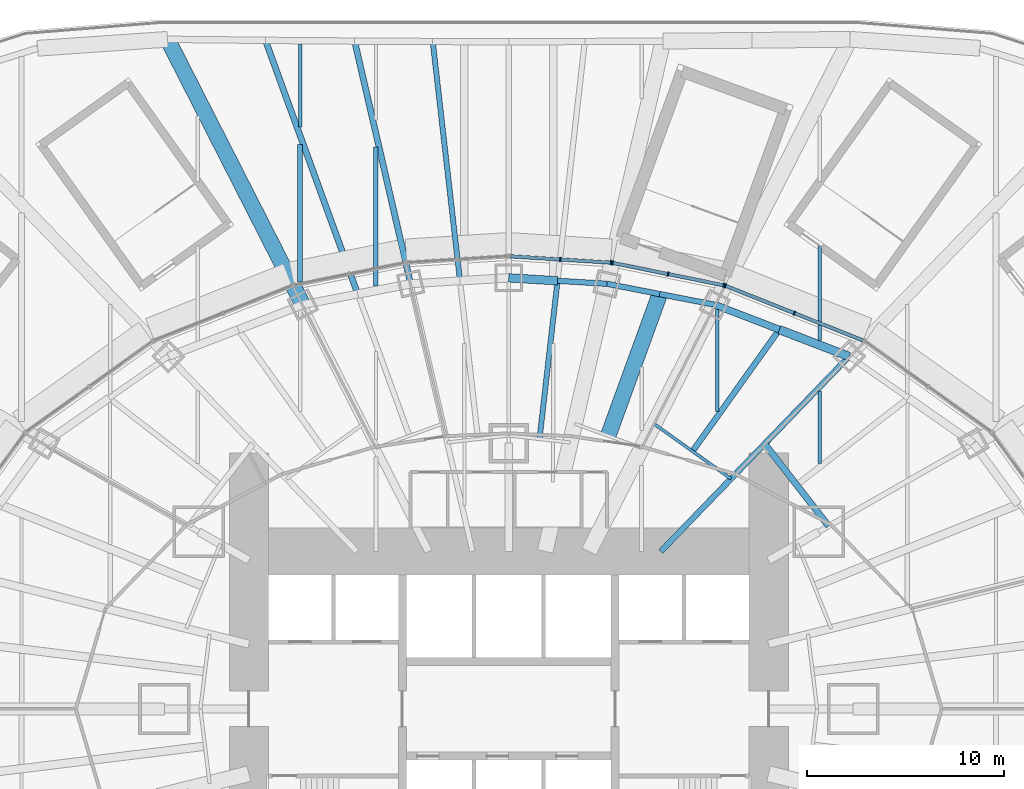
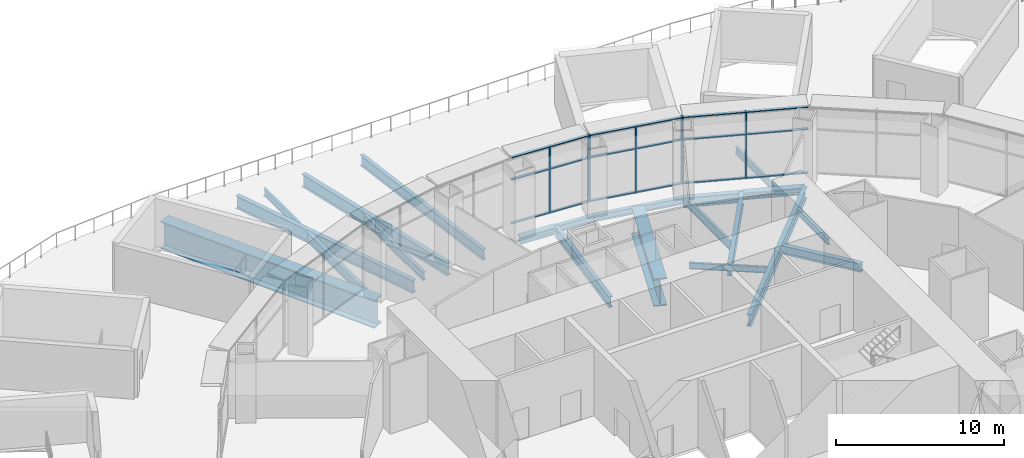
# One storey, part 8 of 25: 25 members, 22 beams, 3 elements without a shape of their own.
"""IFC4 building model written with IfcOpenShell, lengths in metres."""

import ifcopenshell
import ifcopenshell.guid

model = None  # the IFC model being written
_history = None  # IfcOwnerHistory: only IFC2X3 demands one
_inside = {}  # id of a spatial element -> (the spatial element, [elements in it])
_under = {}  # id of a project, library or spatial element -> (it, [spatial elements below it])
_declared = {}  # id of a project -> (the project, [libraries it declares])
_typed = {}  # id of a type object -> (the type object, [elements of that type])
_made_of = {}  # id of a material, layer set ... -> (it, [elements and type objects made of it])


def new_model(schema):
    """Start an empty IFC model of exactly this schema.

    Asked for "IFC4X3", IfcOpenShell would pick the latest addendum, in which some entities
    have other attributes; the version numbers below select the first issue.
    IFC2X3 requires an IfcOwnerHistory on every rooted entity: one is made here for all.
    """
    global model, _history
    if schema == "IFC4X3":
        model = ifcopenshell.file(schema_version=(4, 3, 0, 0))
    else:
        model = ifcopenshell.file(schema=schema)
    _inside.clear()
    _under.clear()
    _declared.clear()
    _typed.clear()
    _made_of.clear()
    _history = None
    if model.schema == "IFC2X3":
        org = make("IfcOrganization", Name="unknown")
        user = make(
            "IfcPersonAndOrganization",
            ThePerson=make("IfcPerson", FamilyName="unknown"),
            TheOrganization=org,
        )
        app = make(
            "IfcApplication",
            ApplicationDeveloper=org,
            Version="unknown",
            ApplicationFullName="unknown",
            ApplicationIdentifier="unknown",
        )
        _history = make(
            "IfcOwnerHistory",
            OwningUser=user,
            OwningApplication=app,
            ChangeAction="ADDED",
            CreationDate=0,
        )
    return model


def make(cls, **values):
    """One entity of the class cls with the attributes given. An attribute that is None is left unset."""
    return model.create_entity(
        cls, **{name: value for name, value in values.items() if value is not None}
    )


def rooted(cls, **values):
    """An entity with a GlobalId (a new one), such as an element, a storey or a relation."""
    return make(cls, GlobalId=ifcopenshell.guid.new(), OwnerHistory=_history, **values)


def si_unit(unit_type, name, prefix=None):
    """IfcSIUnit, for example si_unit("LENGTHUNIT", "METRE", prefix="MILLI")."""
    return make("IfcSIUnit", UnitType=unit_type, Prefix=prefix, Name=name)


def assignment(units):
    """IfcUnitAssignment: the units of a project."""
    return None if units is None else make("IfcUnitAssignment", Units=units)


def point(xyz):
    """IfcCartesianPoint."""
    return None if xyz is None else make("IfcCartesianPoint", Coordinates=xyz)


def direction(xyz):
    """IfcDirection."""
    return None if xyz is None else make("IfcDirection", DirectionRatios=xyz)


def frame(location, z_axis=None, x_axis=None):
    """IfcAxis2Placement3D, a coordinate frame: its origin and axes. An axis left out is left unset."""
    return make(
        "IfcAxis2Placement3D",
        Location=point(location),
        Axis=direction(z_axis),
        RefDirection=direction(x_axis),
    )


def frame_2d(location, x_axis=None):
    """IfcAxis2Placement2D, a coordinate frame in the plane: its origin and x axis."""
    return make(
        "IfcAxis2Placement2D", Location=point(location), RefDirection=direction(x_axis)
    )


def origin():
    """The frame at (0, 0, 0) with its axes left unset."""
    return frame((0.0, 0.0, 0.0))


def origin_2d():
    """The frame at (0, 0) in the plane with its x axis left unset."""
    return frame_2d((0.0, 0.0))


def place(relative_to, where):
    """IfcLocalPlacement: puts the frame where relative to a parent placement (None: the world)."""
    return make(
        "IfcLocalPlacement", PlacementRelTo=relative_to, RelativePlacement=where
    )


def context(
    kind, dimensions, precision=None, world=None, true_north=None, identifier=None
):
    """IfcGeometricRepresentationContext, for example the 3D "Model" context."""
    return make(
        "IfcGeometricRepresentationContext",
        ContextIdentifier=identifier,
        ContextType=kind,
        CoordinateSpaceDimension=dimensions,
        Precision=precision,
        WorldCoordinateSystem=world,
        TrueNorth=true_north,
    )


def subcontext(parent, identifier, kind, view, scale=None):
    """IfcGeometricRepresentationSubContext, for example "Body" below "Model"."""
    return make(
        "IfcGeometricRepresentationSubContext",
        ContextIdentifier=identifier,
        ContextType=kind,
        ParentContext=parent,
        TargetScale=scale,
        TargetView=view,
    )


def project(units=None, contexts=None):
    """IfcProject with its units and contexts."""
    return rooted(
        "IfcProject",
        Name="project",
        RepresentationContexts=contexts,
        UnitsInContext=assignment(units),
    )


def spatial(cls, under=None, at=None, **own):
    """A site, building, storey or space (cls), placed at a placement, below another one or the project."""
    s = rooted(cls, ObjectPlacement=at, **own)
    if under is not None:
        _under.setdefault(under.id(), (under, []))[1].append(s)
    return s


def profile(cls, at=None, kind="AREA", **sizes):
    """A parametric profile (cls). Its sizes go by their IFC names, for example OverallWidth=200.0."""
    return make(cls, ProfileType=kind, Position=at, **sizes)


def rectangle(**sizes):
    """IfcRectangleProfileDef."""
    return profile("IfcRectangleProfileDef", **sizes)


def i_section(**sizes):
    """IfcIShapeProfileDef."""
    return profile("IfcIShapeProfileDef", **sizes)


def extrude(swept, where, along, depth):
    """IfcExtrudedAreaSolid: the profile swept, set in the frame where, extruded along a direction by depth."""
    return make(
        "IfcExtrudedAreaSolid",
        SweptArea=swept,
        Position=where,
        ExtrudedDirection=direction(along),
        Depth=depth,
    )


def shape(context_of_items, identifier, shape_type, items):
    """IfcShapeRepresentation: the items that make up one representation, for example the "Body"."""
    return make(
        "IfcShapeRepresentation",
        ContextOfItems=context_of_items,
        RepresentationIdentifier=identifier,
        RepresentationType=shape_type,
        Items=items,
    )


def material(Name=None, Category=None):
    """IfcMaterial."""
    return make("IfcMaterial", Name=Name, Category=Category)


def material_profile(
    of_material, cross_section, Name=None, Category=None, Priority=None
):
    """IfcMaterialProfile: a cross section and its material."""
    return make(
        "IfcMaterialProfile",
        Name=Name,
        Material=of_material,
        Profile=cross_section,
        Priority=Priority,
        Category=Category,
    )


def profile_set(profiles, Name=None, composite=None):
    """IfcMaterialProfileSet."""
    return make(
        "IfcMaterialProfileSet",
        Name=Name,
        MaterialProfiles=profiles,
        CompositeProfile=composite,
    )


def made_of(thing, what):
    """Note that an element or type object is made of a material, layer set ...; save() writes the relation."""
    if what is not None:
        _made_of.setdefault(what.id(), (what, []))[1].append(thing)
    return thing


def type_object(cls, material=None, **own):
    """A type object (cls), such as IfcWallType, which elements share."""
    return made_of(rooted(cls, **own), material)


def element(
    cls,
    number,
    at=None,
    inside=None,
    cuts=None,
    type_object=None,
    material=None,
    context=None,
    identifier="Body",
    shape_type=None,
    held_by="IfcProductDefinitionShape",
    body=None,
    shapes=None,
    **own,
):
    """One element of the class cls, such as IfcWall. Its Tag is "e" and its number.

    at: its placement. inside: the storey or other place that contains it. cuts: it is an
    opening in that element (IfcRelVoidsElement). A single representation is given by context,
    identifier, shape_type and body (its items); several are given by shapes. held_by: the class
    of the entity that holds the representations. save() writes the other relations.
    """
    e = rooted(cls, Tag="e%d" % number, ObjectPlacement=at, **own)
    if body is not None:
        shapes = [shape(context, identifier, shape_type, body)]
    if shapes is not None:
        e.Representation = make(held_by, Representations=shapes)
    if inside is not None:
        _inside.setdefault(inside.id(), (inside, []))[1].append(e)
    if cuts is not None:
        rooted(
            "IfcRelVoidsElement", RelatingBuildingElement=cuts, RelatedOpeningElement=e
        )
    if type_object is not None:
        _typed.setdefault(type_object.id(), (type_object, []))[1].append(e)
    return made_of(e, material)


def aggregate(whole, parts):
    """IfcRelAggregates: a whole, such as a stair, and the parts it consists of."""
    return rooted("IfcRelAggregates", RelatingObject=whole, RelatedObjects=parts)


def save(model, path):
    """Write the relations noted so far, then the file.

    IfcRelAggregates (storeys below a building ...), IfcRelContainedInSpatialStructure (elements
    in a storey), IfcRelDefinesByType, IfcRelAssociatesMaterial and IfcRelDeclares: one each for
    every whole, place, type object, material and project.
    """
    for whole, parts in _under.values():
        aggregate(whole, parts)
    for where, things in _inside.values():
        rooted(
            "IfcRelContainedInSpatialStructure",
            RelatedElements=things,
            RelatingStructure=where,
        )
    for kind, things in _typed.values():
        rooted("IfcRelDefinesByType", RelatedObjects=things, RelatingType=kind)
    for what, things in _made_of.values():
        rooted("IfcRelAssociatesMaterial", RelatedObjects=things, RelatingMaterial=what)
    for by, libraries in _declared.values():
        rooted("IfcRelDeclares", RelatingContext=by, RelatedDefinitions=libraries)
    model.write(path)


model = new_model("IFC4")

# Units and contexts
model_context = context("Model", 3, precision=1e-05, world=origin(), true_north=direction((0.0, 1.0)))
body_context = subcontext(model_context, "Body", "Model", "MODEL_VIEW")
ifc_project = project(units=[si_unit("LENGTHUNIT", "METRE"), si_unit("AREAUNIT", "SQUARE_METRE"), si_unit("VOLUMEUNIT", "CUBIC_METRE"), si_unit("PLANEANGLEUNIT", "RADIAN"), si_unit("MASSUNIT", "GRAM", prefix="KILO")], contexts=[model_context])

# Site, building, storey
site_placement = place(None, origin())
site = spatial("IfcSite", under=ifc_project, at=site_placement, CompositionType="ELEMENT")
building_placement = place(site_placement, origin())
building = spatial("IfcBuilding", under=site, at=building_placement, Name="Lantaw Convention Tower", CompositionType="ELEMENT")
storey_placement = place(building_placement, frame((0.0, 0.0, 32.0)))
storey = spatial("IfcBuildingStorey", under=building, at=storey_placement, Name="L05", CompositionType="ELEMENT", Elevation=32.0)

# Beams
ifc_material_1 = material(Name="Steel ASTM A992", Category="steel")
ifc_material_profile_1 = material_profile(ifc_material_1, i_section(OverallWidth=0.431884765625, OverallDepth=0.497802734375, WebThickness=0.0556640625, FlangeThickness=0.0888671875, FilletRadius=0.01513671875, at=origin_2d()), Name="W14X500")
ifc_profile_set_1 = profile_set([ifc_material_profile_1], Name="Steel ASTM A992")
beam_type_1 = type_object("IfcBeamType", Name="Beam E W14X500", PredefinedType="SPANDREL", material=ifc_profile_set_1)
beam_1_placement = place(storey_placement, frame((17.290771484375, 17.9052734375, -0.448974609375), z_axis=(-0.933224646415, 0.359293416754, 0.0), x_axis=(-0.359293416754, -0.933224646415, 0.0)))
element("IfcBeam", 1, at=beam_1_placement, inside=storey, type_object=beam_type_1, Name="Edge beam 4", PredefinedType="SPANDREL", context=body_context, shape_type="SweptSolid", body=[
    extrude(i_section(OverallWidth=0.431884765625, OverallDepth=0.497802734375, WebThickness=0.0556640625, FlangeThickness=0.0888671875, FilletRadius=0.01513671875, at=origin_2d()), origin(), (0.0, 0.0, 1.0), 3.799072265625),
])
beam_2_placement = place(storey_placement, frame((2.47802734375, 21.75, -0.448974609375), z_axis=(-0.998175328335, 0.060382231685, 0.0), x_axis=(-0.060382231685, -0.998175328335, 0.0)))
element("IfcBeam", 2, at=beam_2_placement, inside=storey, type_object=beam_type_1, Name="Edge beam 6", PredefinedType="SPANDREL", context=body_context, shape_type="SweptSolid", body=[
    extrude(i_section(OverallWidth=0.431884765625, OverallDepth=0.497802734375, WebThickness=0.0556640625, FlangeThickness=0.0888671875, FilletRadius=0.01513671875, at=origin_2d()), origin(), (0.0, 0.0, 1.0), 2.482666015625),
])
ifc_material_profile_2 = material_profile(ifc_material_1, i_section(OverallWidth=0.279296875, OverallDepth=0.462158203125, WebThickness=0.0107421875, FlangeThickness=0.017333984375, FilletRadius=0.01025390625, at=origin_2d()), Name="W18X76")
ifc_profile_set_2 = profile_set([ifc_material_profile_2], Name="Steel ASTM A992")
beam_type_2 = type_object("IfcBeamType", Name="Beam E W18X76", PredefinedType="SPANDREL", material=ifc_profile_set_2)
beam_3_placement = place(storey_placement, frame((10.462646484375, 20.533935546875, -0.43115234375), z_axis=(-0.98163593748, 0.190763954266, 0.0), x_axis=(-0.190763954266, -0.98163593748, 0.0)))
element("IfcBeam", 3, at=beam_3_placement, inside=storey, type_object=beam_type_2, Name="Edge beam 5", PredefinedType="SPANDREL", context=body_context, shape_type="SweptSolid", body=[
    extrude(i_section(OverallWidth=0.279296875, OverallDepth=0.462158203125, WebThickness=0.0107421875, FlangeThickness=0.017333984375, FilletRadius=0.01025390625, at=origin_2d()), origin(), (0.0, 0.0, 1.0), 2.84375),
])
beam_4_placement = place(storey_placement, frame((7.671142578125, 21.076416015625, -0.43115234375), z_axis=(-0.981637218105, 0.190757364289, 0.0), x_axis=(-0.190757364289, -0.981637218105, 0.0)))
element("IfcBeam", 4, at=beam_4_placement, inside=storey, type_object=beam_type_2, Name="Edge beam 5", PredefinedType="SPANDREL", context=body_context, shape_type="SweptSolid", body=[
    extrude(i_section(OverallWidth=0.279296875, OverallDepth=0.462158203125, WebThickness=0.0107421875, FlangeThickness=0.017333984375, FilletRadius=0.01025390625, at=origin_2d()), origin(), (0.0, 0.0, 1.0), 2.735107421875),
])
beam_5_placement = place(storey_placement, frame((4.986328125, 21.59814453125, -0.43115234375), z_axis=(-0.998172405641, 0.060430527186, 0.0), x_axis=(-0.060430527186, -0.998172405641, 0.0)))
element("IfcBeam", 5, at=beam_5_placement, inside=storey, type_object=beam_type_2, Name="Edge beam 6", PredefinedType="SPANDREL", context=body_context, shape_type="SweptSolid", body=[
    extrude(i_section(OverallWidth=0.279296875, OverallDepth=0.462158203125, WebThickness=0.0107421875, FlangeThickness=0.017333984375, FilletRadius=0.01025390625, at=origin_2d()), origin(), (0.0, 0.0, 1.0), 2.512939453125),
])
ifc_material_profile_3 = material_profile(ifc_material_1, i_section(OverallWidth=0.355712890625, OverallDepth=0.700927734375, WebThickness=0.016845703125, FlangeThickness=0.02734375, FilletRadius=0.017578125, at=origin_2d()), Name="W27X161")
ifc_profile_set_3 = profile_set([ifc_material_profile_3], Name="Steel ASTM A992")
beam_type_3 = type_object("IfcBeamType", Name="Beam E W27X161", PredefinedType="SPANDREL", material=ifc_profile_set_3)
beam_6_placement = place(storey_placement, frame((13.745361328125, 19.270263671875, -0.550537109375), z_axis=(-0.933241815012, 0.359248820058, 0.0), x_axis=(-0.359248820058, -0.933241815012, 0.0)))
element("IfcBeam", 6, at=beam_6_placement, inside=storey, type_object=beam_type_3, Name="Edge beam 4", PredefinedType="SPANDREL", context=body_context, shape_type="SweptSolid", body=[
    extrude(i_section(OverallWidth=0.355712890625, OverallDepth=0.700927734375, WebThickness=0.016845703125, FlangeThickness=0.02734375, FilletRadius=0.017578125, at=origin_2d()), origin(), (0.0, 0.0, 1.0), 3.517578125),
])
ifc_material_2 = material(Name="Steel ASTM A572 Grade 50", Category="steel")
ifc_material_profile_4 = material_profile(ifc_material_2, i_section(OverallWidth=0.800048828125, OverallDepth=2.0, WebThickness=0.030029296875, FlangeThickness=0.080078125, at=origin_2d()), Name="PG2000X800X30X80")
ifc_profile_set_4 = profile_set([ifc_material_profile_4], Name="Steel ASTM A572 Grade 50")
beam_type_4 = type_object("IfcBeamType", Name="Beam G PG2000X800X30X80", PredefinedType="BEAM", material=ifc_profile_set_4)
beam_7_placement = place(storey_placement, frame((5.04931640625, 13.873046875, -1.199951171875), z_axis=(0.342021781151, 0.939692024664, 0.0), x_axis=(-0.939692024664, 0.342021781151, 0.0)))
element("IfcBeam", 7, at=beam_7_placement, inside=storey, type_object=beam_type_4, Name="Floor girder on bisector 5", PredefinedType="BEAM", context=body_context, shape_type="SweptSolid", body=[
    extrude(i_section(OverallWidth=0.800048828125, OverallDepth=2.0, WebThickness=0.030029296875, FlangeThickness=0.080078125, at=origin_2d()), origin(), (0.0, 0.0, 1.0), 7.665771484375),
])
ifc_material_profile_5 = material_profile(ifc_material_1, i_section(OverallWidth=0.2666015625, OverallDepth=0.76953125, WebThickness=0.015625, FlangeThickness=0.025390625, FilletRadius=0.0126953125, at=origin_2d()), Name="W30X132")
ifc_profile_set_5 = profile_set([ifc_material_profile_5], Name="Steel ASTM A992")
beam_type_5 = type_object("IfcBeamType", Name="Beam G W30X132", PredefinedType="BEAM", material=ifc_profile_set_5)
beam_8_placement = place(storey_placement, frame((1.5625, 13.713134765625, -0.584716796875), z_axis=(0.113183957156, 0.993574049501, 0.0), x_axis=(-0.993574049501, 0.113183957156, 0.0)))
element("IfcBeam", 8, at=beam_8_placement, inside=storey, type_object=beam_type_5, Name="Floor girder on bisector 6", PredefinedType="BEAM", context=body_context, shape_type="SweptSolid", body=[
    extrude(i_section(OverallWidth=0.2666015625, OverallDepth=0.76953125, WebThickness=0.015625, FlangeThickness=0.025390625, FilletRadius=0.0126953125, at=origin_2d()), origin(), (0.0, 0.0, 1.0), 8.0888671875),
])
ifc_material_profile_6 = material_profile(ifc_material_1, i_section(OverallWidth=0.2919921875, OverallDepth=0.845703125, WebThickness=0.015380859375, FlangeThickness=0.0244140625, FilletRadius=0.01513671875, at=origin_2d()), Name="W33X141")
ifc_profile_set_6 = profile_set([ifc_material_profile_6], Name="Steel ASTM A992")
beam_type_6 = type_object("IfcBeamType", Name="Beam G W33X141", PredefinedType="BEAM", material=ifc_profile_set_6)
beam_9_placement = place(storey_placement, frame((7.7255859375, 8.0, -0.622802734375), z_axis=(0.694649884291, 0.719347995239, 0.0), x_axis=(-0.719347995239, 0.694649884291, 0.0)))
element("IfcBeam", 9, at=beam_9_placement, inside=storey, type_object=beam_type_6, Name="Floor girder on ray 4", PredefinedType="BEAM", context=body_context, shape_type="SweptSolid", body=[
    extrude(i_section(OverallWidth=0.2919921875, OverallDepth=0.845703125, WebThickness=0.015380859375, FlangeThickness=0.0244140625, FilletRadius=0.01513671875, at=origin_2d()), origin(), (0.0, 0.0, 1.0), 13.769775390625),
])
beam_10_placement = place(storey_placement, frame((9.335693359375, 13.088134765625, -0.622802734375), z_axis=(0.580702805158, 0.814115625745, 0.0), x_axis=(-0.814115625745, 0.580702805158, 0.0)))
element("IfcBeam", 10, at=beam_10_placement, inside=storey, type_object=beam_type_6, Name="Floor girder on bisector 4", PredefinedType="BEAM", context=body_context, shape_type="SweptSolid", body=[
    extrude(i_section(OverallWidth=0.2919921875, OverallDepth=0.845703125, WebThickness=0.015380859375, FlangeThickness=0.0244140625, FilletRadius=0.01513671875, at=origin_2d()), origin(), (0.0, 0.0, 1.0), 7.59375),
])
ifc_material_profile_7 = material_profile(ifc_material_1, i_section(OverallWidth=0.15234375, OverallDepth=0.449462890625, WebThickness=0.007568359375, FlangeThickness=0.0107421875, FilletRadius=0.01025390625, at=origin_2d()), Name="W18X35")
ifc_profile_set_7 = profile_set([ifc_material_profile_7], Name="Steel ASTM A992")
beam_type_7 = type_object("IfcBeamType", Name="Beam HC W18X35", PredefinedType="BEAM", material=ifc_profile_set_7)
beam_11_placement = place(storey_placement, frame((11.291748046875, 11.69287109375, -0.4248046875), z_axis=(-0.814110909588, 0.580709416912, 0.0), x_axis=(-0.580709416912, -0.814110909588, 0.0)))
element("IfcBeam", 11, at=beam_11_placement, inside=storey, type_object=beam_type_7, Name="Collar beam on bisector 4", PredefinedType="BEAM", context=body_context, shape_type="SweptSolid", body=[
    extrude(i_section(OverallWidth=0.15234375, OverallDepth=0.449462890625, WebThickness=0.007568359375, FlangeThickness=0.0107421875, FilletRadius=0.01025390625, at=origin_2d()), origin(), (0.0, 0.0, 1.0), 4.805419921875),
])
ifc_material_profile_8 = material_profile(ifc_material_1, i_section(OverallWidth=0.3251953125, OverallDepth=0.612060546875, WebThickness=0.0126953125, FlangeThickness=0.01904296875, FilletRadius=0.0126953125, at=origin_2d()), Name="W24X104")
ifc_profile_set_8 = profile_set([ifc_material_profile_8], Name="Steel ASTM A992")
beam_type_8 = type_object("IfcBeamType", Name="Beam HC W24X104", PredefinedType="BEAM", material=ifc_profile_set_8)
beam_12_placement = place(storey_placement, frame((16.2529296875, 9.287353515625, -0.506103515625), z_axis=(-0.613915067401, 0.789372085913, 0.0), x_axis=(-0.789372085913, -0.613915067401, 0.0)))
element("IfcBeam", 12, at=beam_12_placement, inside=storey, type_object=beam_type_8, Name="Collar beam on bisector 3", PredefinedType="BEAM", context=body_context, shape_type="SweptSolid", body=[
    extrude(i_section(OverallWidth=0.3251953125, OverallDepth=0.612060546875, WebThickness=0.0126953125, FlangeThickness=0.01904296875, FilletRadius=0.0126953125, at=origin_2d()), origin(), (0.0, 0.0, 1.0), 5.293212890625),
])
ifc_material_profile_9 = material_profile(ifc_material_1, i_section(OverallWidth=0.1904296875, OverallDepth=0.457275390625, WebThickness=0.009033203125, FlangeThickness=0.014404296875, FilletRadius=0.01025390625, at=origin_2d()), Name="W18X50")
ifc_profile_set_9 = profile_set([ifc_material_profile_9], Name="Steel ASTM A992")
beam_type_9 = type_object("IfcBeamType", Name="Beam J W18X50", PredefinedType="JOIST", material=ifc_profile_set_9)
beam_13_placement = place(storey_placement, frame((15.800048828125, 12.472900390625, -0.4287109375), z_axis=(0.0, 1.0, 0.0), x_axis=(-1.0, 0.0, 0.0)))
element("IfcBeam", 13, at=beam_13_placement, inside=storey, type_object=beam_type_9, Name="Floor joist", PredefinedType="JOIST", context=body_context, shape_type="SweptSolid", body=[
    extrude(i_section(OverallWidth=0.1904296875, OverallDepth=0.457275390625, WebThickness=0.009033203125, FlangeThickness=0.014404296875, FilletRadius=0.01025390625, at=origin_2d()), origin(), (0.0, 0.0, 1.0), 3.67822265625),
])
ifc_material_profile_10 = material_profile(ifc_material_1, i_section(OverallWidth=0.1650390625, OverallDepth=0.52587890625, WebThickness=0.0087890625, FlangeThickness=0.011474609375, FilletRadius=0.0126953125, at=origin_2d()), Name="W21X44")
ifc_profile_set_10 = profile_set([ifc_material_profile_10], Name="Steel ASTM A992")
beam_type_10 = type_object("IfcBeamType", Name="Beam J W21X44", PredefinedType="JOIST", material=ifc_profile_set_10)
beam_14_placement = place(storey_placement, frame((-10.60009765625, 29.572509765625, -0.462890625), z_axis=(0.0, 1.0, 0.0), x_axis=(-1.0, 0.0, 0.0)))
element("IfcBeam", 14, at=beam_14_placement, inside=storey, type_object=beam_type_10, Name="Floor joist", PredefinedType="JOIST", context=body_context, shape_type="SweptSolid", body=[
    extrude(i_section(OverallWidth=0.1650390625, OverallDepth=0.52587890625, WebThickness=0.0087890625, FlangeThickness=0.011474609375, FilletRadius=0.0126953125, at=origin_2d()), origin(), (0.0, 0.0, 1.0), 4.21630859375),
])
beam_15_placement = place(storey_placement, frame((15.800048828125, 18.71044921875, -0.462890625), z_axis=(0.0, 1.0, 0.0), x_axis=(-1.0, 0.0, 0.0)))
element("IfcBeam", 15, at=beam_15_placement, inside=storey, type_object=beam_type_10, Name="Floor joist", PredefinedType="JOIST", context=body_context, shape_type="SweptSolid", body=[
    extrude(i_section(OverallWidth=0.1650390625, OverallDepth=0.52587890625, WebThickness=0.0087890625, FlangeThickness=0.011474609375, FilletRadius=0.0126953125, at=origin_2d()), origin(), (0.0, 0.0, 1.0), 4.813232421875),
])
ifc_material_profile_11 = material_profile(ifc_material_1, i_section(OverallWidth=0.177978515625, OverallDepth=0.599365234375, WebThickness=0.010009765625, FlangeThickness=0.012939453125, FilletRadius=0.012939453125, at=origin_2d()), Name="W24X55")
ifc_profile_set_11 = profile_set([ifc_material_profile_11], Name="Steel ASTM A992")
beam_type_11 = type_object("IfcBeamType", Name="Beam J W24X55", PredefinedType="JOIST", material=ifc_profile_set_11)
beam_16_placement = place(storey_placement, frame((10.60009765625, 15.112060546875, -0.499755859375), z_axis=(0.0, 1.0, 0.0), x_axis=(-1.0, 0.0, 0.0)))
element("IfcBeam", 16, at=beam_16_placement, inside=storey, type_object=beam_type_11, Name="Floor joist", PredefinedType="JOIST", context=body_context, shape_type="SweptSolid", body=[
    extrude(i_section(OverallWidth=0.177978515625, OverallDepth=0.599365234375, WebThickness=0.010009765625, FlangeThickness=0.012939453125, FilletRadius=0.012939453125, at=origin_2d()), origin(), (0.0, 0.0, 1.0), 5.178466796875),
])
ifc_material_profile_12 = material_profile(ifc_material_1, i_section(OverallWidth=0.22900390625, OverallDepth=0.612060546875, WebThickness=0.011962890625, FlangeThickness=0.01953125, FilletRadius=0.0126953125, at=origin_2d()), Name="W24X84")
ifc_profile_set_12 = profile_set([ifc_material_profile_12], Name="Steel ASTM A992")
beam_type_12 = type_object("IfcBeamType", Name="Beam J W24X84", PredefinedType="JOIST", material=ifc_profile_set_12)
beam_17_placement = place(storey_placement, frame((-6.75, 21.475341796875, -0.506103515625), z_axis=(0.0, 1.0, 0.0), x_axis=(-1.0, 0.0, 0.0)))
element("IfcBeam", 17, at=beam_17_placement, inside=storey, type_object=beam_type_12, Name="Floor joist", PredefinedType="JOIST", context=body_context, shape_type="SweptSolid", body=[
    extrude(i_section(OverallWidth=0.22900390625, OverallDepth=0.612060546875, WebThickness=0.011962890625, FlangeThickness=0.01953125, FilletRadius=0.0126953125, at=origin_2d()), origin(), (0.0, 0.0, 1.0), 7.0791015625),
])
ifc_material_profile_13 = material_profile(ifc_material_1, i_section(OverallWidth=0.25390625, OverallDepth=0.683349609375, WebThickness=0.012451171875, FlangeThickness=0.01904296875, FilletRadius=0.01513671875, at=origin_2d()), Name="W27X94")
ifc_profile_set_13 = profile_set([ifc_material_profile_13], Name="Steel ASTM A992")
beam_type_13 = type_object("IfcBeamType", Name="Beam J W27X94", PredefinedType="JOIST", material=ifc_profile_set_13)
beam_18_placement = place(storey_placement, frame((-10.60009765625, 21.684814453125, -0.541748046875), z_axis=(0.0, 1.0, 0.0), x_axis=(-1.0, 0.0, 0.0)))
element("IfcBeam", 18, at=beam_18_placement, inside=storey, type_object=beam_type_13, Name="Floor joist", PredefinedType="JOIST", context=body_context, shape_type="SweptSolid", body=[
    extrude(i_section(OverallWidth=0.25390625, OverallDepth=0.683349609375, WebThickness=0.012451171875, FlangeThickness=0.01904296875, FilletRadius=0.01513671875, at=origin_2d()), origin(), (0.0, 0.0, 1.0), 6.9892578125),
])
ifc_material_profile_14 = material_profile(ifc_material_2, i_section(OverallWidth=0.800048828125, OverallDepth=2.0, WebThickness=0.030029296875, FlangeThickness=0.080078125, at=origin_2d()), Name="PG2000X800X30X80")
ifc_profile_set_14 = profile_set([ifc_material_profile_14], Name="Steel ASTM A572 Grade 50")
beam_type_14 = type_object("IfcBeamType", Name="Beam PG PG2000X800X30X80", PredefinedType="BEAM", material=ifc_profile_set_14)
beam_19_placement = place(storey_placement, frame((-10.462646484375, 20.533935546875, -1.199951171875), z_axis=(-0.453988364005, 0.891007612396, 0.0), x_axis=(-0.891007612396, -0.453988364005, 0.0)))
element("IfcBeam", 19, at=beam_19_placement, inside=storey, type_object=beam_type_14, Name="Podium girder PR09", PredefinedType="BEAM", context=body_context, shape_type="SweptSolid", body=[
    extrude(i_section(OverallWidth=0.800048828125, OverallDepth=2.0, WebThickness=0.030029296875, FlangeThickness=0.080078125, at=origin_2d()), origin(), (0.0, 0.0, 1.0), 15.135498046875),
])
ifc_material_profile_15 = material_profile(ifc_material_1, i_section(OverallWidth=0.2666015625, OverallDepth=0.76953125, WebThickness=0.015625, FlangeThickness=0.025390625, FilletRadius=0.0126953125, at=origin_2d()), Name="W30X132")
ifc_profile_set_15 = profile_set([ifc_material_profile_15], Name="Steel ASTM A992")
beam_type_15 = type_object("IfcBeamType", Name="Beam PG W30X132", PredefinedType="BEAM", material=ifc_profile_set_15)
beam_20_placement = place(storey_placement, frame((-2.47802734375, 21.75, -0.584716796875), z_axis=(-0.113214567108, 0.993570562061, 0.0), x_axis=(-0.993570562061, -0.113214567108, 0.0)))
element("IfcBeam", 20, at=beam_20_placement, inside=storey, type_object=beam_type_15, Name="Podium girder PB07", PredefinedType="BEAM", context=body_context, shape_type="SweptSolid", body=[
    extrude(i_section(OverallWidth=0.2666015625, OverallDepth=0.76953125, WebThickness=0.015625, FlangeThickness=0.025390625, FilletRadius=0.0126953125, at=origin_2d()), origin(), (0.0, 0.0, 1.0), 12.235595703125),
])
ifc_material_profile_16 = material_profile(ifc_material_1, i_section(OverallWidth=0.307373046875, OverallDepth=0.922119140625, WebThickness=0.018310546875, FlangeThickness=0.030029296875, FilletRadius=0.0126953125, at=origin_2d()), Name="W36X182")
ifc_profile_set_16 = profile_set([ifc_material_profile_16], Name="Steel ASTM A992")
beam_type_16 = type_object("IfcBeamType", Name="Beam PG W36X182", PredefinedType="BEAM", material=ifc_profile_set_16)
beam_21_placement = place(storey_placement, frame((-4.986328125, 21.59814453125, -0.660888671875), z_axis=(-0.224955319834, 0.974369080009, 0.0), x_axis=(-0.974369080009, -0.224955319834, 0.0)))
element("IfcBeam", 21, at=beam_21_placement, inside=storey, type_object=beam_type_16, Name="Podium girder PR08", PredefinedType="BEAM", context=body_context, shape_type="SweptSolid", body=[
    extrude(i_section(OverallWidth=0.307373046875, OverallDepth=0.922119140625, WebThickness=0.018310546875, FlangeThickness=0.030029296875, FilletRadius=0.0126953125, at=origin_2d()), origin(), (0.0, 0.0, 1.0), 12.654541015625),
])
beam_22_placement = place(storey_placement, frame((-7.671142578125, 21.076416015625, -0.660888671875), z_axis=(-0.342027428416, 0.939689969198, 0.0), x_axis=(-0.939689969198, -0.342027428416, 0.0)))
element("IfcBeam", 22, at=beam_22_placement, inside=storey, type_object=beam_type_16, Name="Podium girder PB08", PredefinedType="BEAM", context=body_context, shape_type="SweptSolid", body=[
    extrude(i_section(OverallWidth=0.307373046875, OverallDepth=0.922119140625, WebThickness=0.018310546875, FlangeThickness=0.030029296875, FilletRadius=0.0126953125, at=origin_2d()), origin(), (0.0, 0.0, 1.0), 13.71728515625),
])

# Curtain wall, members
ifc_material_3 = material(Name="Aluminium framed curtain wall", Category="aluminium")
curtain_wall_type = type_object("IfcCurtainWallType", Name="Sky lobby curtain wall L05, pale aluminium", PredefinedType="USERDEFINED", material=ifc_material_3)
curtain_wall_1_placement = place(storey_placement, origin())
curtain_wall_1 = element("IfcCurtainWall", 23, at=curtain_wall_1_placement, inside=storey, type_object=curtain_wall_type, Name="Sky lobby curtain wall L05, pale aluminium L05", ObjectType="STICK CURTAIN WALL", PredefinedType="USERDEFINED")
ifc_material_4 = material(Name="Aluminium 6063-T6", Category="aluminium")
ifc_material_profile_17 = material_profile(ifc_material_4, rectangle(XDim=0.22509765625, YDim=0.074951171875, at=origin_2d()), Name="CW-HL mullion 75x225")
ifc_profile_set_17 = profile_set([ifc_material_profile_17], Name="Aluminium 6063-T6")
member_type_1 = type_object("IfcMemberType", Name="CW-HL mullion 75x225", PredefinedType="MULLION", material=ifc_profile_set_17)
member_1_placement = place(storey_placement, frame((14.508544921875, 20.105224609375, 0.0), z_axis=(0.0, 0.0, 1.0), x_axis=(-0.369171840425, -0.929361152748, 0.0)))
member_1 = element("IfcMember", 24, at=member_1_placement, type_object=member_type_1, Name="CW-HL mullion 2", PredefinedType="MULLION", context=body_context, shape_type="SweptSolid", body=[
    extrude(rectangle(XDim=0.22509765625, YDim=0.074951171875, at=origin_2d()), origin(), (0.0, 0.0, 1.0), 4.85009765625),
])
member_2_placement = place(storey_placement, frame((10.996826171875, 21.500244140625, 0.0), z_axis=(0.0, 0.0, 1.0), x_axis=(-0.369171840425, -0.929361152748, 0.0)))
member_2 = element("IfcMember", 25, at=member_2_placement, type_object=member_type_1, Name="CW-HL mullion 3", PredefinedType="MULLION", context=body_context, shape_type="SweptSolid", body=[
    extrude(rectangle(XDim=0.22509765625, YDim=0.074951171875, at=origin_2d()), origin(), (0.0, 0.0, 1.0), 4.85009765625),
])

curtain_wall_2_placement = place(storey_placement, origin())
curtain_wall_2 = element("IfcCurtainWall", 26, at=curtain_wall_2_placement, inside=storey, type_object=curtain_wall_type, Name="Sky lobby curtain wall L05, pale aluminium L05", ObjectType="STICK CURTAIN WALL", PredefinedType="USERDEFINED")
member_3_placement = place(storey_placement, frame((10.92529296875, 21.521484375, 0.0), z_axis=(0.0, 0.0, 1.0), x_axis=(-0.197789067813, -0.980244604501, 0.0)))
member_3 = element("IfcMember", 27, at=member_3_placement, type_object=member_type_1, Name="CW-HL mullion 1", PredefinedType="MULLION", context=body_context, shape_type="SweptSolid", body=[
    extrude(rectangle(XDim=0.22509765625, YDim=0.074951171875, at=origin_2d()), origin(), (0.0, 0.0, 1.0), 4.85009765625),
])
member_4_placement = place(storey_placement, frame((8.097900390625, 22.092041015625, 0.0), z_axis=(0.0, 0.0, 1.0), x_axis=(-0.197789067813, -0.980244604501, 0.0)))
member_4 = element("IfcMember", 28, at=member_4_placement, type_object=member_type_1, Name="CW-HL mullion 2", PredefinedType="MULLION", context=body_context, shape_type="SweptSolid", body=[
    extrude(rectangle(XDim=0.22509765625, YDim=0.074951171875, at=origin_2d()), origin(), (0.0, 0.0, 1.0), 4.85009765625),
])
member_5_placement = place(storey_placement, frame((5.2705078125, 22.662353515625, 0.0), z_axis=(0.0, 0.0, 1.0), x_axis=(-0.197789067813, -0.980244604501, 0.0)))
member_5 = element("IfcMember", 29, at=member_5_placement, type_object=member_type_1, Name="CW-HL mullion 3", PredefinedType="MULLION", context=body_context, shape_type="SweptSolid", body=[
    extrude(rectangle(XDim=0.22509765625, YDim=0.074951171875, at=origin_2d()), origin(), (0.0, 0.0, 1.0), 4.85009765625),
])

curtain_wall_3_placement = place(storey_placement, origin())
curtain_wall_3 = element("IfcCurtainWall", 30, at=curtain_wall_3_placement, inside=storey, type_object=curtain_wall_type, Name="Sky lobby curtain wall L05, pale aluminium L05", ObjectType="STICK CURTAIN WALL", PredefinedType="USERDEFINED")
member_6_placement = place(storey_placement, frame((5.1962890625, 22.672119140625, 0.0), z_axis=(0.0, 0.0, 1.0), x_axis=(-0.062958373078, -0.998016153807, 0.0)))
member_6 = element("IfcMember", 31, at=member_6_placement, type_object=member_type_1, Name="CW-HL mullion 1", PredefinedType="MULLION", context=body_context, shape_type="SweptSolid", body=[
    extrude(rectangle(XDim=0.22509765625, YDim=0.074951171875, at=origin_2d()), origin(), (0.0, 0.0, 1.0), 4.85009765625),
])
member_7_placement = place(storey_placement, frame((2.616943359375, 22.8349609375, 0.0), z_axis=(0.0, 0.0, 1.0), x_axis=(-0.062958373078, -0.998016153807, 0.0)))
member_7 = element("IfcMember", 32, at=member_7_placement, type_object=member_type_1, Name="CW-HL mullion 2", PredefinedType="MULLION", context=body_context, shape_type="SweptSolid", body=[
    extrude(rectangle(XDim=0.22509765625, YDim=0.074951171875, at=origin_2d()), origin(), (0.0, 0.0, 1.0), 4.85009765625),
])

# Member
ifc_material_profile_18 = material_profile(ifc_material_4, rectangle(XDim=0.179931640625, YDim=0.074951171875, at=origin_2d()), Name="CW-HL transom 75x180")
ifc_profile_set_18 = profile_set([ifc_material_profile_18], Name="Aluminium 6063-T6")
member_type_2 = type_object("IfcMemberType", Name="CW-HL transom 75x180", PredefinedType="USERDEFINED", material=ifc_profile_set_18)
member_8_placement = place(storey_placement, frame((17.9853515625, 18.72412109375, 0.03759765625), z_axis=(-0.929374081901, 0.369139290634, 0.0), x_axis=(-0.369139290634, -0.929374081901, 0.0)))
member_8 = element("IfcMember", 33, at=member_8_placement, type_object=member_type_2, Name="CW-HL transom 1.1", ObjectType="TRANSOM", PredefinedType="USERDEFINED", context=body_context, shape_type="SweptSolid", body=[
    extrude(rectangle(XDim=0.179931640625, YDim=0.074951171875, at=origin_2d()), origin(), (0.0, 0.0, 1.0), 3.70361328125),
])

member_9_placement = place(storey_placement, frame((17.9853515625, 18.72412109375, 3.199951171875), z_axis=(-0.929374081901, 0.369139290634, 0.0), x_axis=(-0.369139290634, -0.929374081901, 0.0)))
member_9 = element("IfcMember", 34, at=member_9_placement, type_object=member_type_2, Name="CW-HL transom 1.2", ObjectType="TRANSOM", PredefinedType="USERDEFINED", context=body_context, shape_type="SweptSolid", body=[
    extrude(rectangle(XDim=0.179931640625, YDim=0.074951171875, at=origin_2d()), origin(), (0.0, 0.0, 1.0), 3.70361328125),
])

member_10_placement = place(storey_placement, frame((17.9853515625, 18.72412109375, 4.8125), z_axis=(-0.929374081901, 0.369139290634, 0.0), x_axis=(-0.369139290634, -0.929374081901, 0.0)))
member_10 = element("IfcMember", 35, at=member_10_placement, type_object=member_type_2, Name="CW-HL transom 1.3", ObjectType="TRANSOM", PredefinedType="USERDEFINED", context=body_context, shape_type="SweptSolid", body=[
    extrude(rectangle(XDim=0.179931640625, YDim=0.074951171875, at=origin_2d()), origin(), (0.0, 0.0, 1.0), 3.70361328125),
])

member_11_placement = place(storey_placement, frame((14.4736328125, 20.119140625, 0.03759765625), z_axis=(-0.929365098875, 0.369161906206, 0.0), x_axis=(-0.369161906206, -0.929365098875, 0.0)))
member_11 = element("IfcMember", 36, at=member_11_placement, type_object=member_type_2, Name="CW-HL transom 2.1", ObjectType="TRANSOM", PredefinedType="USERDEFINED", context=body_context, shape_type="SweptSolid", body=[
    extrude(rectangle(XDim=0.179931640625, YDim=0.074951171875, at=origin_2d()), origin(), (0.0, 0.0, 1.0), 3.703369140625),
])

member_12_placement = place(storey_placement, frame((14.4736328125, 20.119140625, 3.199951171875), z_axis=(-0.929365098875, 0.369161906206, 0.0), x_axis=(-0.369161906206, -0.929365098875, 0.0)))
member_12 = element("IfcMember", 37, at=member_12_placement, type_object=member_type_2, Name="CW-HL transom 2.2", ObjectType="TRANSOM", PredefinedType="USERDEFINED", context=body_context, shape_type="SweptSolid", body=[
    extrude(rectangle(XDim=0.179931640625, YDim=0.074951171875, at=origin_2d()), origin(), (0.0, 0.0, 1.0), 3.703369140625),
])

member_13_placement = place(storey_placement, frame((14.4736328125, 20.119140625, 4.8125), z_axis=(-0.929365098875, 0.369161906206, 0.0), x_axis=(-0.369161906206, -0.929365098875, 0.0)))
member_13 = element("IfcMember", 38, at=member_13_placement, type_object=member_type_2, Name="CW-HL transom 2.3", ObjectType="TRANSOM", PredefinedType="USERDEFINED", context=body_context, shape_type="SweptSolid", body=[
    extrude(rectangle(XDim=0.179931640625, YDim=0.074951171875, at=origin_2d()), origin(), (0.0, 0.0, 1.0), 3.703369140625),
])

aggregate(curtain_wall_1, [member_1, member_2, member_8, member_9, member_10, member_11, member_12, member_13])

member_14_placement = place(storey_placement, frame((10.888427734375, 21.52880859375, 0.03759765625), z_axis=(-0.980245016413, 0.197787026361, 0.0), x_axis=(-0.197787026361, -0.980245016413, 0.0)))
member_14 = element("IfcMember", 39, at=member_14_placement, type_object=member_type_2, Name="CW-HL transom 1.1", ObjectType="TRANSOM", PredefinedType="USERDEFINED", context=body_context, shape_type="SweptSolid", body=[
    extrude(rectangle(XDim=0.179931640625, YDim=0.074951171875, at=origin_2d()), origin(), (0.0, 0.0, 1.0), 2.809326171875),
])

member_15_placement = place(storey_placement, frame((10.888427734375, 21.52880859375, 3.199951171875), z_axis=(-0.980245016413, 0.197787026361, 0.0), x_axis=(-0.197787026361, -0.980245016413, 0.0)))
member_15 = element("IfcMember", 40, at=member_15_placement, type_object=member_type_2, Name="CW-HL transom 1.2", ObjectType="TRANSOM", PredefinedType="USERDEFINED", context=body_context, shape_type="SweptSolid", body=[
    extrude(rectangle(XDim=0.179931640625, YDim=0.074951171875, at=origin_2d()), origin(), (0.0, 0.0, 1.0), 2.809326171875),
])

member_16_placement = place(storey_placement, frame((10.888427734375, 21.52880859375, 4.8125), z_axis=(-0.980245016413, 0.197787026361, 0.0), x_axis=(-0.197787026361, -0.980245016413, 0.0)))
member_16 = element("IfcMember", 41, at=member_16_placement, type_object=member_type_2, Name="CW-HL transom 1.3", ObjectType="TRANSOM", PredefinedType="USERDEFINED", context=body_context, shape_type="SweptSolid", body=[
    extrude(rectangle(XDim=0.179931640625, YDim=0.074951171875, at=origin_2d()), origin(), (0.0, 0.0, 1.0), 2.809326171875),
])

member_17_placement = place(storey_placement, frame((8.06103515625, 22.099365234375, 0.03759765625), z_axis=(-0.980241616431, 0.197803876141, 0.0), x_axis=(-0.197803876141, -0.980241616431, 0.0)))
member_17 = element("IfcMember", 42, at=member_17_placement, type_object=member_type_2, Name="CW-HL transom 2.1", ObjectType="TRANSOM", PredefinedType="USERDEFINED", context=body_context, shape_type="SweptSolid", body=[
    extrude(rectangle(XDim=0.179931640625, YDim=0.074951171875, at=origin_2d()), origin(), (0.0, 0.0, 1.0), 2.80908203125),
])

member_18_placement = place(storey_placement, frame((8.06103515625, 22.099365234375, 3.199951171875), z_axis=(-0.980241616431, 0.197803876141, 0.0), x_axis=(-0.197803876141, -0.980241616431, 0.0)))
member_18 = element("IfcMember", 43, at=member_18_placement, type_object=member_type_2, Name="CW-HL transom 2.2", ObjectType="TRANSOM", PredefinedType="USERDEFINED", context=body_context, shape_type="SweptSolid", body=[
    extrude(rectangle(XDim=0.179931640625, YDim=0.074951171875, at=origin_2d()), origin(), (0.0, 0.0, 1.0), 2.80908203125),
])

member_19_placement = place(storey_placement, frame((8.06103515625, 22.099365234375, 4.8125), z_axis=(-0.980241616431, 0.197803876141, 0.0), x_axis=(-0.197803876141, -0.980241616431, 0.0)))
member_19 = element("IfcMember", 44, at=member_19_placement, type_object=member_type_2, Name="CW-HL transom 2.3", ObjectType="TRANSOM", PredefinedType="USERDEFINED", context=body_context, shape_type="SweptSolid", body=[
    extrude(rectangle(XDim=0.179931640625, YDim=0.074951171875, at=origin_2d()), origin(), (0.0, 0.0, 1.0), 2.80908203125),
])

aggregate(curtain_wall_2, [member_3, member_4, member_5, member_14, member_15, member_16, member_17, member_18, member_19])

member_20_placement = place(storey_placement, frame((5.158935546875, 22.674560546875, 0.03759765625), z_axis=(-0.998017216291, 0.062941528311, 0.0), x_axis=(-0.062941528311, -0.998017216291, 0.0)))
member_20 = element("IfcMember", 45, at=member_20_placement, type_object=member_type_2, Name="CW-HL transom 1.1", ObjectType="TRANSOM", PredefinedType="USERDEFINED", context=body_context, shape_type="SweptSolid", body=[
    extrude(rectangle(XDim=0.179931640625, YDim=0.074951171875, at=origin_2d()), origin(), (0.0, 0.0, 1.0), 2.509521484375),
])

member_21_placement = place(storey_placement, frame((5.158935546875, 22.674560546875, 3.199951171875), z_axis=(-0.998017216291, 0.062941528311, 0.0), x_axis=(-0.062941528311, -0.998017216291, 0.0)))
member_21 = element("IfcMember", 46, at=member_21_placement, type_object=member_type_2, Name="CW-HL transom 1.2", ObjectType="TRANSOM", PredefinedType="USERDEFINED", context=body_context, shape_type="SweptSolid", body=[
    extrude(rectangle(XDim=0.179931640625, YDim=0.074951171875, at=origin_2d()), origin(), (0.0, 0.0, 1.0), 2.509521484375),
])

member_22_placement = place(storey_placement, frame((5.158935546875, 22.674560546875, 4.8125), z_axis=(-0.998017216291, 0.062941528311, 0.0), x_axis=(-0.062941528311, -0.998017216291, 0.0)))
member_22 = element("IfcMember", 47, at=member_22_placement, type_object=member_type_2, Name="CW-HL transom 1.3", ObjectType="TRANSOM", PredefinedType="USERDEFINED", context=body_context, shape_type="SweptSolid", body=[
    extrude(rectangle(XDim=0.179931640625, YDim=0.074951171875, at=origin_2d()), origin(), (0.0, 0.0, 1.0), 2.509521484375),
])

member_23_placement = place(storey_placement, frame((2.579345703125, 22.837158203125, 0.03759765625), z_axis=(-0.998010714043, 0.063044545009, 0.0), x_axis=(-0.063044545009, -0.998010714043, 0.0)))
member_23 = element("IfcMember", 48, at=member_23_placement, type_object=member_type_2, Name="CW-HL transom 2.1", ObjectType="TRANSOM", PredefinedType="USERDEFINED", context=body_context, shape_type="SweptSolid", body=[
    extrude(rectangle(XDim=0.179931640625, YDim=0.074951171875, at=origin_2d()), origin(), (0.0, 0.0, 1.0), 2.50927734375),
])

member_24_placement = place(storey_placement, frame((2.579345703125, 22.837158203125, 3.199951171875), z_axis=(-0.998010714043, 0.063044545009, 0.0), x_axis=(-0.063044545009, -0.998010714043, 0.0)))
member_24 = element("IfcMember", 49, at=member_24_placement, type_object=member_type_2, Name="CW-HL transom 2.2", ObjectType="TRANSOM", PredefinedType="USERDEFINED", context=body_context, shape_type="SweptSolid", body=[
    extrude(rectangle(XDim=0.179931640625, YDim=0.074951171875, at=origin_2d()), origin(), (0.0, 0.0, 1.0), 2.50927734375),
])

member_25_placement = place(storey_placement, frame((2.579345703125, 22.837158203125, 4.8125), z_axis=(-0.998010714043, 0.063044545009, 0.0), x_axis=(-0.063044545009, -0.998010714043, 0.0)))
member_25 = element("IfcMember", 50, at=member_25_placement, type_object=member_type_2, Name="CW-HL transom 2.3", ObjectType="TRANSOM", PredefinedType="USERDEFINED", context=body_context, shape_type="SweptSolid", body=[
    extrude(rectangle(XDim=0.179931640625, YDim=0.074951171875, at=origin_2d()), origin(), (0.0, 0.0, 1.0), 2.50927734375),
])

aggregate(curtain_wall_3, [member_6, member_7, member_20, member_21, member_22, member_23, member_24, member_25])

save(model, "model.ifc")
